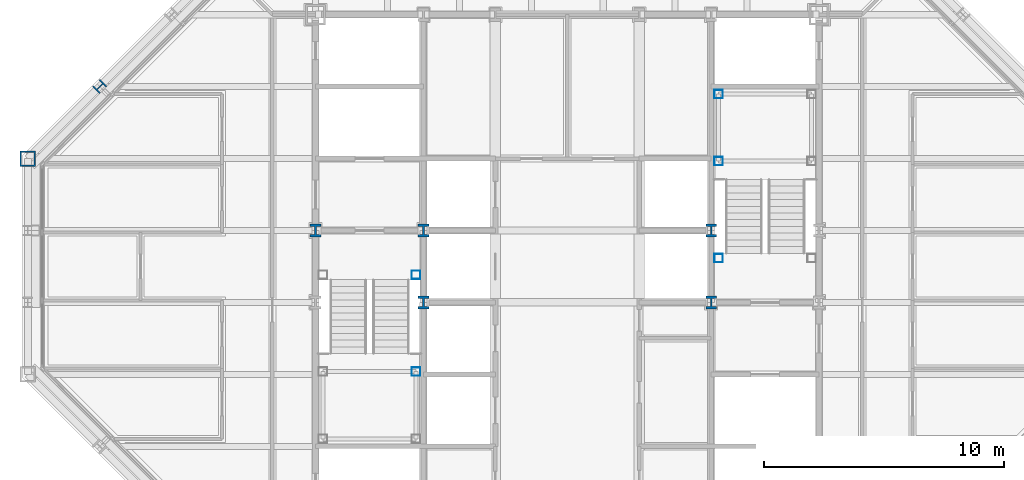
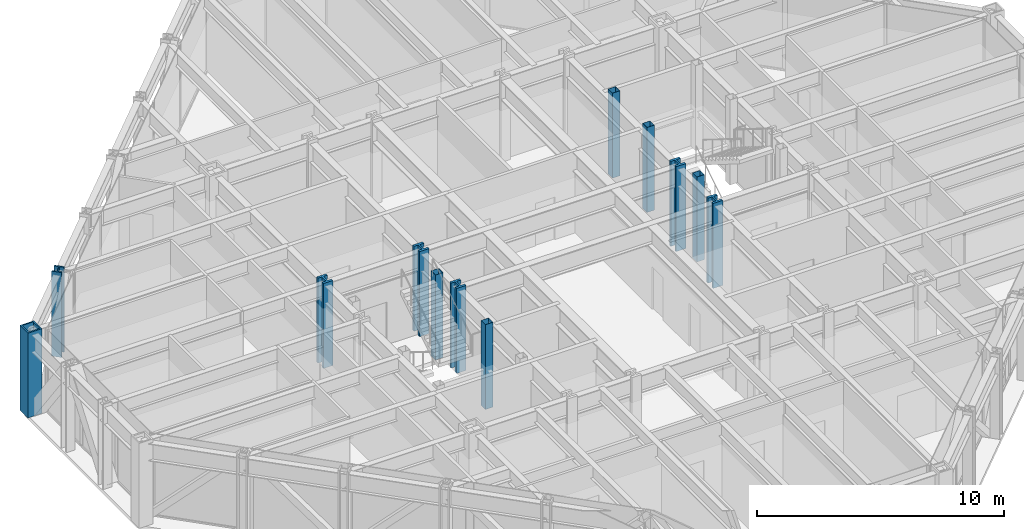
# One storey, part 2 of 15: 12 columns.
"""IFC4 building model written with IfcOpenShell, lengths in metres."""

from ifc_helpers import new_model, si_unit, direction, frame, origin, origin_2d, place, context, subcontext, project, spatial, hollow_rectangle, i_section, extrude, material, material_profile, profile_set, type_object, element, save


model = new_model("IFC4")

# Units and contexts
model_context = context("Model", 3, precision=1e-05, world=origin(), true_north=direction((0.0, 1.0)))
body_context = subcontext(model_context, "Body", "Model", "MODEL_VIEW")
ifc_project = project(units=[si_unit("LENGTHUNIT", "METRE"), si_unit("AREAUNIT", "SQUARE_METRE"), si_unit("VOLUMEUNIT", "CUBIC_METRE"), si_unit("PLANEANGLEUNIT", "RADIAN"), si_unit("MASSUNIT", "GRAM", prefix="KILO")], contexts=[model_context])

# Site, building, storey
site_placement = place(None, origin())
site = spatial("IfcSite", under=ifc_project, at=site_placement, CompositionType="ELEMENT")
building_placement = place(site_placement, origin())
building = spatial("IfcBuilding", under=site, at=building_placement, Name="Chuquiago Exchange Tower", CompositionType="ELEMENT")
storey_placement = place(building_placement, frame((0.0, 0.0, 262.199951171875)))
storey = spatial("IfcBuildingStorey", under=building, at=storey_placement, Name="L58", CompositionType="ELEMENT", Elevation=262.199951171875)

# Columns
ifc_material_1 = material(Name="Steel ASTM A992", Category="steel")
ifc_material_profile_1 = material_profile(ifc_material_1, i_section(OverallWidth=0.449462890625, OverallDepth=0.548583984375, WebThickness=0.07177734375, FlangeThickness=0.11474609375, at=origin_2d()), Name="W14X665")
ifc_profile_set_1 = profile_set([ifc_material_profile_1], Name="Steel ASTM A992")
column_type_1 = type_object("IfcColumnType", Name="CC5 W14X665", PredefinedType="COLUMN", material=ifc_profile_set_1)
for number, where, z_axis, x_axis, name in (
    (1, (12.0, 24.0, 0.0), (0.0, 0.0, 1.0), (1.0, 0.0, 0.0), "CCOL-L58-12_24"),
    (2, (16.5, 21.0, 0.0), (0.0, 0.0, 1.0), (1.0, 0.0, 0.0), "CCOL-L58-16.5_21"),
    (3, (16.5, 24.0, 0.0), (0.0, 0.0, 1.0), (1.0, 0.0, 0.0), "CCOL-L58-16.5_24"),
    (4, (28.5, 21.0, 0.0), (0.0, 0.0, 1.0), (1.0, 0.0, 0.0), "CCOL-L58-28.5_21"),
    (5, (28.5, 24.0, 0.0), (0.0, 0.0, 1.0), (1.0, 0.0, 0.0), "CCOL-L58-28.5_24"),
):
    element("IfcColumn", number, at=place(storey_placement, frame(where, z_axis=z_axis, x_axis=x_axis)), inside=storey, type_object=column_type_1, Name=name, PredefinedType="COLUMN", context=body_context, shape_type="SweptSolid", body=[
        extrude(i_section(OverallWidth=0.449462890625, OverallDepth=0.548583984375, WebThickness=0.07177734375, FlangeThickness=0.11474609375, at=origin_2d()), origin(), (0.0, 0.0, 1.0), 4.199951171875),
    ])
ifc_material_2 = material(Name="Steel ASTM A992", Category="steel")
ifc_material_profile_2 = material_profile(ifc_material_2, i_section(OverallWidth=0.41650390625, OverallDepth=0.444580078125, WebThickness=0.0390625, FlangeThickness=0.062744140625, at=origin_2d()), Name="W14X342")
ifc_profile_set_2 = profile_set([ifc_material_profile_2], Name="Steel ASTM A992")
column_type_2 = type_object("IfcColumnType", Name="CK5 W14X342", PredefinedType="COLUMN", material=ifc_profile_set_2)
column_1_placement = place(storey_placement, frame((3.0, 30.0, 0.0), z_axis=(0.0, 0.0, 1.0), x_axis=(-0.707106781187, 0.707106781187, 0.0)))
element("IfcColumn", 6, at=column_1_placement, inside=storey, type_object=column_type_2, Name="COL-L58-3_30", PredefinedType="COLUMN", context=body_context, shape_type="SweptSolid", body=[
    extrude(i_section(OverallWidth=0.41650390625, OverallDepth=0.444580078125, WebThickness=0.0390625, FlangeThickness=0.062744140625, at=origin_2d()), origin(), (0.0, 0.0, 1.0), 4.199951171875),
])
ifc_material_3 = material(Name="Steel ASTM A572 Grade 50", Category="steel")
ifc_material_profile_3 = material_profile(ifc_material_3, hollow_rectangle(XDim=0.64990234375, YDim=0.64990234375, WallThickness=0.06494140625, at=origin_2d()), Name="BOX650X650X65")
ifc_profile_set_3 = profile_set([ifc_material_profile_3], Name="Steel ASTM A572 Grade 50")
column_type_3 = type_object("IfcColumnType", Name="CN2 BOX650X650X65", PredefinedType="COLUMN", material=ifc_profile_set_3)
column_2_placement = place(storey_placement, frame((0.0, 27.0, 0.0), z_axis=(0.0, 0.0, 1.0), x_axis=(-1.0, 0.0, 0.0)))
element("IfcColumn", 7, at=column_2_placement, inside=storey, type_object=column_type_3, Name="COL-L58-0_27", PredefinedType="COLUMN", context=body_context, shape_type="SweptSolid", body=[
    extrude(hollow_rectangle(XDim=0.64990234375, YDim=0.64990234375, WallThickness=0.06494140625, at=origin_2d()), origin(), (0.0, 0.0, 1.0), 4.199951171875),
])
ifc_material_4 = material(Name="Steel ASTM A500 Grade C", Category="steel")
ifc_material_profile_4 = material_profile(ifc_material_4, hollow_rectangle(XDim=0.355712890625, YDim=0.355712890625, WallThickness=0.0087890625, at=origin_2d()), Name="HSS14X14X3/8")
ifc_profile_set_4 = profile_set([ifc_material_profile_4], Name="Steel ASTM A500 Grade C")
column_type_4 = type_object("IfcColumnType", Name="PT1 HSS14X14X3/8", PredefinedType="COLUMN", material=ifc_profile_set_4)
for number, where, z_axis, x_axis, name in (
    (8, (16.18994140625, 18.110107421875, 0.0), (0.0, 0.0, 1.0), (1.0, 0.0, 0.0), "Stair ST1 L58 landing post"),
    (9, (16.18994140625, 22.14990234375, 0.0), (0.0, 0.0, 1.0), (1.0, 0.0, 0.0), "Stair ST1 L58 landing post"),
    (10, (28.81005859375, 29.68994140625, 0.0), (0.0, 0.0, 1.0), (1.0, 0.0, 0.0), "Stair ST2 L58 landing post"),
    (11, (28.81005859375, 26.889892578125, 0.0), (0.0, 0.0, 1.0), (1.0, 0.0, 0.0), "Stair ST2 L58 landing post"),
    (12, (28.81005859375, 22.85009765625, 0.0), (0.0, 0.0, 1.0), (1.0, 0.0, 0.0), "Stair ST2 L58 landing post"),
):
    element("IfcColumn", number, at=place(storey_placement, frame(where, z_axis=z_axis, x_axis=x_axis)), inside=storey, type_object=column_type_4, Name=name, PredefinedType="COLUMN", context=body_context, shape_type="SweptSolid", body=[
        extrude(hollow_rectangle(XDim=0.355712890625, YDim=0.355712890625, WallThickness=0.0087890625, at=origin_2d()), origin(), (0.0, 0.0, 1.0), 4.199951171875),
    ])

save(model, "model.ifc")
